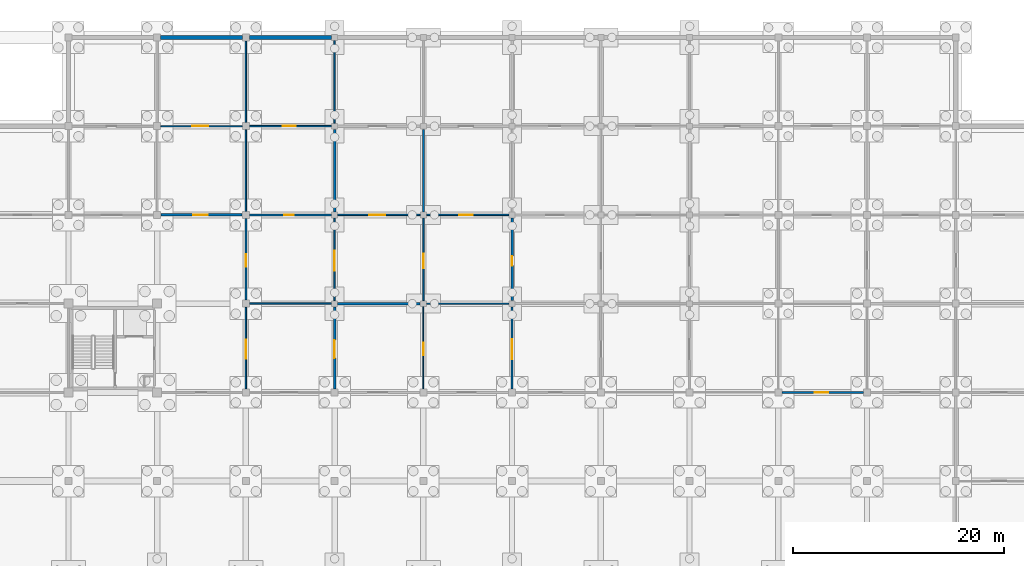
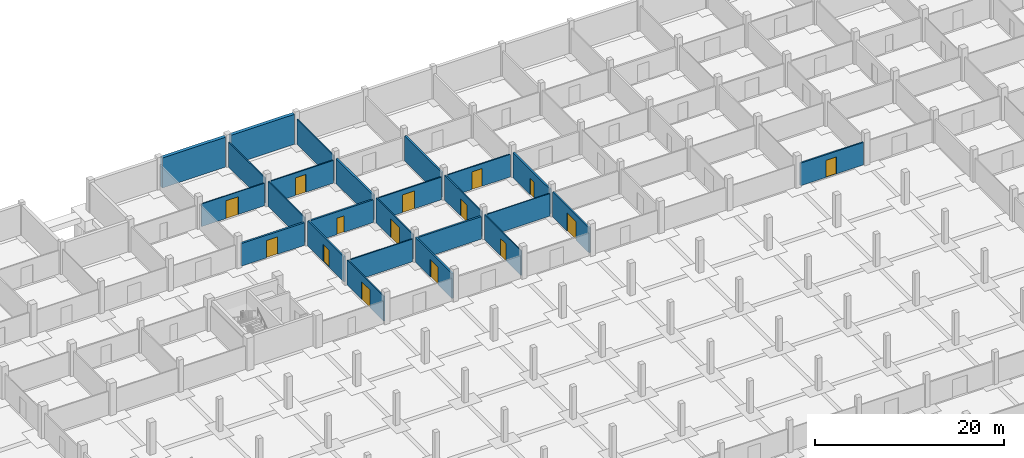
# One storey, part 29 of 43: 25 walls, 15 doors, 15 openings.
"""IFC4 building model written with IfcOpenShell, lengths in metres."""

from ifc_helpers import new_model, si_unit, direction, frame, frame_2d, origin, place, context, subcontext, project, spatial, rectangle, extrude, material, layer, layer_set, type_object, element, fill, save


model = new_model("IFC4")

# Units and contexts
model_context = context("Model", 3, precision=1e-05, world=origin(), true_north=direction((0.0, 1.0)))
body_context = subcontext(model_context, "Body", "Model", "MODEL_VIEW")
ifc_project = project(units=[si_unit("LENGTHUNIT", "METRE"), si_unit("AREAUNIT", "SQUARE_METRE"), si_unit("VOLUMEUNIT", "CUBIC_METRE"), si_unit("PLANEANGLEUNIT", "RADIAN"), si_unit("MASSUNIT", "GRAM", prefix="KILO")], contexts=[model_context])

# Site, building, storey
site_placement = place(None, origin())
site = spatial("IfcSite", under=ifc_project, at=site_placement, CompositionType="ELEMENT")
building_placement = place(site_placement, origin())
building = spatial("IfcBuilding", under=site, at=building_placement, Name="Varnapada Polytechnic", CompositionType="ELEMENT")
storey_placement = place(building_placement, frame((0.0, 0.0, -4.199951171875)))
storey = spatial("IfcBuildingStorey", under=building, at=storey_placement, Name="B1", CompositionType="ELEMENT", Elevation=-4.199951171875)

# Wall
ifc_material_1 = material(Name="Autoclaved Aerated Concrete Block AAC-600", Category="concrete")
ifc_layer_1 = layer(ifc_material_1, 0.14990234375)
ifc_layer_set_1 = layer_set([ifc_layer_1], Name="Autoclaved Aerated Concrete Block AAC-600")
wall_type_1 = type_object("IfcWallType", Name="Interior Wall IW-02", PredefinedType="PARTITIONING", material=ifc_layer_set_1)
wall_1_placement = place(storey_placement, frame((67.199951171875, 109.544921875, 0.0), z_axis=(0.0, 0.0, 1.0), x_axis=(0.0, 1.0, 0.0)))
element("IfcWall", 1, at=wall_1_placement, inside=storey, type_object=wall_type_1, Name="B1 interior partition IW-B1-07-13-V", PredefinedType="PARTITIONING", context=body_context, shape_type="SweptSolid", body=[
    extrude(rectangle(XDim=7.7099609375, YDim=0.14990234375, at=frame_2d((3.85498046875, 0.0))), origin(), (0.0, 0.0, 1.0), 3.22998046875),
])

# Wall, opening, door
wall_2_placement = place(storey_placement, frame((67.544921875, 117.60009765625, 0.0), z_axis=(0.0, 0.0, 1.0), x_axis=(1.0, 0.0, 0.0)))
wall_2 = element("IfcWall", 2, at=wall_2_placement, inside=storey, type_object=wall_type_1, Name="B1 interior partition IW-B1-08-13-H", PredefinedType="PARTITIONING", context=body_context, shape_type="SweptSolid", body=[
    extrude(rectangle(XDim=7.760009765625, YDim=0.14990234375, at=frame_2d((3.8798828125, 0.0))), origin(), (0.0, 0.0, 1.0), 2.929931640625),
])
opening_1_placement = place(wall_2_placement, frame((3.125, 0.0, 0.0)))
opening_1 = element("IfcOpeningElement", 3, at=opening_1_placement, cuts=wall_2, Name="Opening D-694", PredefinedType="OPENING", context=body_context, shape_type="SweptSolid", body=[
    extrude(rectangle(XDim=1.25, YDim=2.300048828125, at=frame_2d((0.625, 1.14990234375))), frame((0.0, 0.0849609375, 0.0), z_axis=(0.0, -1.0, 0.0), x_axis=(1.0, 0.0, 0.0)), (0.0, 0.0, 1.0), 0.169921875),
])
ifc_material_2 = material(Name="Solid Teak Hardwood Timber", Category="wood")
door_type_1 = type_object("IfcDoorType", Name="Interior Door ID-16", OperationType="NOTDEFINED", PredefinedType="DOOR", material=ifc_material_2)
door_1_placement = place(opening_1_placement, origin())
door_1 = element("IfcDoor", 4, at=door_1_placement, inside=storey, type_object=door_type_1, Name="B1 interior room door D-694", OperationType="SINGLE_SWING_LEFT", OverallHeight=2.300048828125, OverallWidth=1.25, PredefinedType="DOOR", context=body_context, shape_type="SweptSolid", body=[
    extrude(rectangle(XDim=1.25, YDim=2.300048828125, at=frame_2d((0.625, 1.14990234375))), frame((0.0, 0.02490234375, 0.0), z_axis=(0.0, -1.0, 0.0), x_axis=(1.0, 0.0, 0.0)), (0.0, 0.0, 1.0), 0.050048828125),
])
fill(opening_1, door_1)

ifc_material_3 = material(Name="Gypsum Plasterboard Acoustic Partition")
ifc_layer_2 = layer(ifc_material_3, 0.125)
ifc_layer_set_2 = layer_set([ifc_layer_2], Name="Gypsum Plasterboard Acoustic Partition")
wall_type_2 = type_object("IfcWallType", Name="Interior Wall IW-03", PredefinedType="PARTITIONING", material=ifc_layer_set_2)
wall_3_placement = place(storey_placement, frame((59.14501953125, 117.60009765625, 0.0), z_axis=(0.0, 0.0, 1.0), x_axis=(1.0, 0.0, 0.0)))
wall_3 = element("IfcWall", 5, at=wall_3_placement, inside=storey, type_object=wall_type_2, Name="B1 interior partition IW-B1-07-13-H", PredefinedType="PARTITIONING", context=body_context, shape_type="SweptSolid", body=[
    extrude(rectangle(XDim=7.7099609375, YDim=0.125, at=frame_2d((3.85498046875, 0.0))), origin(), (0.0, 0.0, 1.0), 2.929931640625),
])
opening_2_placement = place(wall_3_placement, frame((3.0, 0.0, 0.0)))
opening_2 = element("IfcOpeningElement", 6, at=opening_2_placement, cuts=wall_3, Name="Opening D-685", PredefinedType="OPENING", context=body_context, shape_type="SweptSolid", body=[
    extrude(rectangle(XDim=1.5, YDim=2.300048828125, at=frame_2d((0.75, 1.14990234375))), frame((0.0, 0.072509765625, 0.0), z_axis=(0.0, -1.0, 0.0), x_axis=(1.0, 0.0, 0.0)), (0.0, 0.0, 1.0), 0.14501953125),
])
ifc_material_4 = material(Name="Galvanized Steel Z275", Category="steel")
door_type_2 = type_object("IfcDoorType", Name="Interior Door ID-07", OperationType="NOTDEFINED", PredefinedType="DOOR", material=ifc_material_4)
door_2_placement = place(opening_2_placement, origin())
door_2 = element("IfcDoor", 7, at=door_2_placement, inside=storey, type_object=door_type_2, Name="B1 interior room door D-685", OperationType="SINGLE_SWING_RIGHT", OverallHeight=2.300048828125, OverallWidth=1.5, PredefinedType="DOOR", context=body_context, shape_type="SweptSolid", body=[
    extrude(rectangle(XDim=1.5, YDim=2.300048828125, at=frame_2d((0.75, 1.14990234375))), frame((0.0, 0.02490234375, 0.0), z_axis=(0.0, -1.0, 0.0), x_axis=(1.0, 0.0, 0.0)), (0.0, 0.0, 1.0), 0.050048828125),
])
fill(opening_2, door_2)

# Walls
wall_4_placement = place(storey_placement, frame((75.60009765625, 117.89501953125, 0.0), z_axis=(0.0, 0.0, 1.0), x_axis=(0.0, 1.0, 0.0)))
element("IfcWall", 8, at=wall_4_placement, inside=storey, type_object=wall_type_2, Name="B1 interior partition IW-B1-08-14-V", PredefinedType="PARTITIONING", context=body_context, shape_type="SweptSolid", body=[
    extrude(rectangle(XDim=7.81005859375, YDim=0.125, at=frame_2d((3.905029296875, 0.0))), origin(), (0.0, 0.0, 1.0), 3.22998046875),
])
ifc_material_5 = material(Name="Moisture-Resistant Cement Board Partition")
ifc_layer_3 = layer(ifc_material_5, 0.139892578125)
ifc_layer_set_3 = layer_set([ifc_layer_3], Name="Moisture-Resistant Cement Board Partition")
wall_type_3 = type_object("IfcWallType", Name="Interior Wall IW-04", PredefinedType="PARTITIONING", material=ifc_layer_set_3)
wall_5_placement = place(storey_placement, frame((67.199951171875, 117.945068359375, 0.0), z_axis=(0.0, 0.0, 1.0), x_axis=(0.0, 1.0, 0.0)))
element("IfcWall", 9, at=wall_5_placement, inside=storey, type_object=wall_type_3, Name="B1 interior partition IW-B1-07-14-V", PredefinedType="PARTITIONING", context=body_context, shape_type="SweptSolid", body=[
    extrude(rectangle(XDim=7.7099609375, YDim=0.139892578125, at=frame_2d((3.85498046875, 0.0))), origin(), (0.0, 0.0, 1.0), 3.22998046875),
])

# Wall, opening, door
ifc_material_6 = material(Name="Acoustic Double-Stud Studio Partition")
ifc_layer_4 = layer(ifc_material_6, 0.179931640625)
ifc_layer_set_4 = layer_set([ifc_layer_4], Name="Acoustic Double-Stud Studio Partition")
wall_type_4 = type_object("IfcWallType", Name="Interior Wall IW-06", PredefinedType="PARTITIONING", material=ifc_layer_set_4)
wall_6_placement = place(storey_placement, frame((117.945068359375, 92.39990234375, 0.0), z_axis=(0.0, 0.0, 1.0), x_axis=(1.0, 0.0, 0.0)))
wall_6 = element("IfcWall", 10, at=wall_6_placement, inside=storey, type_object=wall_type_4, Name="B1 interior partition IW-B1-14-10-H", PredefinedType="PARTITIONING", context=body_context, shape_type="SweptSolid", body=[
    extrude(rectangle(XDim=7.7099609375, YDim=0.179931640625, at=frame_2d((3.85498046875, 0.0))), origin(), (0.0, 0.0, 1.0), 2.929931640625),
])
opening_3_placement = place(wall_6_placement, frame((3.10009765625, 0.0, 0.0)))
opening_3 = element("IfcOpeningElement", 11, at=opening_3_placement, cuts=wall_6, Name="Opening D-740", PredefinedType="OPENING", context=body_context, shape_type="SweptSolid", body=[
    extrude(rectangle(XDim=1.300048828125, YDim=2.199951171875, at=frame_2d((0.64990234375, 1.10009765625))), frame((0.0, 0.099853515625, 0.0), z_axis=(0.0, -1.0, 0.0), x_axis=(1.0, 0.0, 0.0)), (0.0, 0.0, 1.0), 0.199951171875),
])
ifc_material_7 = material(Name="Acoustic Laminated Timber Leaf", Category="wood")
door_type_3 = type_object("IfcDoorType", Name="Interior Door ID-11", OperationType="NOTDEFINED", PredefinedType="DOOR", material=ifc_material_7)
door_3_placement = place(opening_3_placement, frame((1.300048828125, 0.0, 0.0), z_axis=(0.0, 0.0, 1.0), x_axis=(-1.0, 0.0, 0.0)))
door_3 = element("IfcDoor", 12, at=door_3_placement, inside=storey, type_object=door_type_3, Name="B1 interior room door D-740", OperationType="SINGLE_SWING_LEFT", OverallHeight=2.199951171875, OverallWidth=1.300048828125, PredefinedType="DOOR", context=body_context, shape_type="SweptSolid", body=[
    extrude(rectangle(XDim=1.300048828125, YDim=2.199951171875, at=frame_2d((0.64990234375, 1.10009765625))), frame((0.0, 0.02490234375, 0.0), z_axis=(0.0, -1.0, 0.0), x_axis=(1.0, 0.0, 0.0)), (0.0, 0.0, 1.0), 0.050048828125),
])
fill(opening_3, door_3)

ifc_material_8 = material(Name="Insulated Masonry Plant Room Wall", Category="masonry")
ifc_layer_5 = layer(ifc_material_8, 0.18994140625)
ifc_layer_set_5 = layer_set([ifc_layer_5], Name="Insulated Masonry Plant Room Wall")
wall_type_5 = type_object("IfcWallType", Name="Interior Wall IW-11", PredefinedType="PARTITIONING", material=ifc_layer_set_5)
wall_7_placement = place(storey_placement, frame((92.39990234375, 92.7451171875, 0.0), z_axis=(0.0, 0.0, 1.0), x_axis=(0.0, 1.0, 0.0)))
wall_7 = element("IfcWall", 13, at=wall_7_placement, inside=storey, type_object=wall_type_5, Name="B1 interior partition IW-B1-10-11-V", PredefinedType="PARTITIONING", context=body_context, shape_type="SweptSolid", body=[
    extrude(rectangle(XDim=7.759765625, YDim=0.18994140625, at=frame_2d((3.8798828125, 0.0))), origin(), (0.0, 0.0, 1.0), 3.22998046875),
])
opening_4_placement = place(wall_7_placement, frame((2.800048828125, 0.0, 0.0)))
opening_4 = element("IfcOpeningElement", 14, at=opening_4_placement, cuts=wall_7, Name="Opening D-709", PredefinedType="OPENING", context=body_context, shape_type="SweptSolid", body=[
    extrude(rectangle(XDim=1.89990234375, YDim=2.39990234375, at=frame_2d((0.949951171875, 1.199951171875))), frame((0.0, 0.10498046875, 0.0), z_axis=(0.0, -1.0, 0.0), x_axis=(1.0, 0.0, 0.0)), (0.0, 0.0, 1.0), 0.2099609375),
])
ifc_material_9 = material(Name="Heavy Workshop Double Steel Door", Category="steel")
door_type_4 = type_object("IfcDoorType", Name="Interior Door ID-14", OperationType="NOTDEFINED", PredefinedType="DOOR", material=ifc_material_9)
door_4_placement = place(opening_4_placement, origin())
door_4 = element("IfcDoor", 15, at=door_4_placement, inside=storey, type_object=door_type_4, Name="B1 interior room door D-709", OperationType="SINGLE_SWING_RIGHT", OverallHeight=2.39990234375, OverallWidth=1.89990234375, PredefinedType="DOOR", context=body_context, shape_type="SweptSolid", body=[
    extrude(rectangle(XDim=1.89990234375, YDim=2.39990234375, at=frame_2d((0.949951171875, 1.199951171875))), frame((0.0, 0.02490234375, 0.0), z_axis=(0.0, -1.0, 0.0), x_axis=(1.0, 0.0, 0.0)), (0.0, 0.0, 1.0), 0.050048828125),
])
fill(opening_4, door_4)

ifc_material_10 = material(Name="Timber-Stud Studio Critique Partition", Category="wood")
ifc_layer_6 = layer(ifc_material_10, 0.114990234375)
ifc_layer_set_6 = layer_set([ifc_layer_6], Name="Timber-Stud Studio Critique Partition")
wall_type_6 = type_object("IfcWallType", Name="Interior Wall IW-12", PredefinedType="PARTITIONING", material=ifc_layer_set_6)
wall_8_placement = place(storey_placement, frame((84.0, 92.7451171875, 0.0), z_axis=(0.0, 0.0, 1.0), x_axis=(0.0, 1.0, 0.0)))
wall_8 = element("IfcWall", 16, at=wall_8_placement, inside=storey, type_object=wall_type_6, Name="B1 interior partition IW-B1-09-11-V", PredefinedType="PARTITIONING", context=body_context, shape_type="SweptSolid", body=[
    extrude(rectangle(XDim=7.759765625, YDim=0.114990234375, at=frame_2d((3.8798828125, 0.0))), origin(), (0.0, 0.0, 1.0), 3.22998046875),
])
opening_5_placement = place(wall_8_placement, frame((3.14990234375, 0.0, 0.0)))
opening_5 = element("IfcOpeningElement", 17, at=opening_5_placement, cuts=wall_8, Name="Opening D-700", PredefinedType="OPENING", context=body_context, shape_type="SweptSolid", body=[
    extrude(rectangle(XDim=1.199951171875, YDim=2.199951171875, at=frame_2d((0.60009765625, 1.10009765625))), frame((0.0, 0.0673828125, 0.0), z_axis=(0.0, -1.0, 0.0), x_axis=(1.0, 0.0, 0.0)), (0.0, 0.0, 1.0), 0.135009765625),
])
door_type_5 = type_object("IfcDoorType", Name="Interior Door ID-05", OperationType="NOTDEFINED", PredefinedType="DOOR", material=ifc_material_2)
door_5_placement = place(opening_5_placement, origin())
door_5 = element("IfcDoor", 18, at=door_5_placement, inside=storey, type_object=door_type_5, Name="B1 interior room door D-700", OperationType="SINGLE_SWING_LEFT", OverallHeight=2.199951171875, OverallWidth=1.199951171875, PredefinedType="DOOR", context=body_context, shape_type="SweptSolid", body=[
    extrude(rectangle(XDim=1.199951171875, YDim=2.199951171875, at=frame_2d((0.60009765625, 1.10009765625))), frame((0.0, 0.02490234375, 0.0), z_axis=(0.0, -1.0, 0.0), x_axis=(1.0, 0.0, 0.0)), (0.0, 0.0, 1.0), 0.050048828125),
])
fill(opening_5, door_5)

# Wall
wall_9_placement = place(storey_placement, frame((84.294921875, 100.800048828125, 0.0), z_axis=(0.0, 0.0, 1.0), x_axis=(1.0, 0.0, 0.0)))
element("IfcWall", 19, at=wall_9_placement, inside=storey, type_object=wall_type_6, Name="B1 interior partition IW-B1-10-11-H", PredefinedType="PARTITIONING", context=body_context, shape_type="SweptSolid", body=[
    extrude(rectangle(XDim=7.81005859375, YDim=0.114990234375, at=frame_2d((3.905029296875, 0.0))), origin(), (0.0, 0.0, 1.0), 2.929931640625),
])

# Wall, opening, door
ifc_material_11 = material(Name="Heavy Acoustic Auditorium Baffle Wall")
ifc_layer_7 = layer(ifc_material_11, 0.219970703125)
ifc_layer_set_7 = layer_set([ifc_layer_7], Name="Heavy Acoustic Auditorium Baffle Wall")
wall_type_7 = type_object("IfcWallType", Name="Interior Wall IW-13", PredefinedType="PARTITIONING", material=ifc_layer_set_7)
wall_10_placement = place(storey_placement, frame((75.60009765625, 92.7451171875, 0.0), z_axis=(0.0, 0.0, 1.0), x_axis=(0.0, 1.0, 0.0)))
wall_10 = element("IfcWall", 20, at=wall_10_placement, inside=storey, type_object=wall_type_7, Name="B1 interior partition IW-B1-08-11-V", PredefinedType="PARTITIONING", context=body_context, shape_type="SweptSolid", body=[
    extrude(rectangle(XDim=7.759765625, YDim=0.219970703125, at=frame_2d((3.8798828125, 0.0))), origin(), (0.0, 0.0, 1.0), 3.22998046875),
])
opening_6_placement = place(wall_10_placement, frame((2.89990234375, 0.0, 0.0)))
opening_6 = element("IfcOpeningElement", 21, at=opening_6_placement, cuts=wall_10, Name="Opening D-691", PredefinedType="OPENING", context=body_context, shape_type="SweptSolid", body=[
    extrude(rectangle(XDim=1.699951171875, YDim=2.300048828125, at=frame_2d((0.85009765625, 1.14990234375))), frame((0.0, 0.119873046875, 0.0), z_axis=(0.0, -1.0, 0.0), x_axis=(1.0, 0.0, 0.0)), (0.0, 0.0, 1.0), 0.239990234375),
])
ifc_material_12 = material(Name="Acoustic Double Timber Leaf", Category="wood")
door_type_6 = type_object("IfcDoorType", Name="Interior Door ID-13", OperationType="NOTDEFINED", PredefinedType="DOOR", material=ifc_material_12)
door_6_placement = place(opening_6_placement, origin())
door_6 = element("IfcDoor", 22, at=door_6_placement, inside=storey, type_object=door_type_6, Name="B1 interior room door D-691", OperationType="SINGLE_SWING_RIGHT", OverallHeight=2.300048828125, OverallWidth=1.699951171875, PredefinedType="DOOR", context=body_context, shape_type="SweptSolid", body=[
    extrude(rectangle(XDim=1.699951171875, YDim=2.300048828125, at=frame_2d((0.85009765625, 1.14990234375))), frame((0.0, 0.02490234375, 0.0), z_axis=(0.0, -1.0, 0.0), x_axis=(1.0, 0.0, 0.0)), (0.0, 0.0, 1.0), 0.050048828125),
])
fill(opening_6, door_6)

# Wall
wall_11_placement = place(storey_placement, frame((75.89501953125, 100.800048828125, 0.0), z_axis=(0.0, 0.0, 1.0), x_axis=(1.0, 0.0, 0.0)))
element("IfcWall", 23, at=wall_11_placement, inside=storey, type_object=wall_type_7, Name="B1 interior partition IW-B1-09-11-H", PredefinedType="PARTITIONING", context=body_context, shape_type="SweptSolid", body=[
    extrude(rectangle(XDim=7.81005859375, YDim=0.219970703125, at=frame_2d((3.905029296875, 0.0))), origin(), (0.0, 0.0, 1.0), 2.929931640625),
])

# Wall, opening, door
wall_12_placement = place(storey_placement, frame((92.39990234375, 101.094970703125, 0.0), z_axis=(0.0, 0.0, 1.0), x_axis=(0.0, 1.0, 0.0)))
wall_12 = element("IfcWall", 24, at=wall_12_placement, inside=storey, type_object=wall_type_7, Name="B1 interior partition IW-B1-10-12-V", PredefinedType="PARTITIONING", context=body_context, shape_type="SweptSolid", body=[
    extrude(rectangle(XDim=7.81005859375, YDim=0.219970703125, at=frame_2d((3.905029296875, 0.0))), origin(), (0.0, 0.0, 1.0), 3.22998046875),
])
opening_7_placement = place(wall_12_placement, frame((3.300048828125, 0.0, 0.0)))
opening_7 = element("IfcOpeningElement", 25, at=opening_7_placement, cuts=wall_12, Name="Opening D-710", PredefinedType="OPENING", context=body_context, shape_type="SweptSolid", body=[
    extrude(rectangle(XDim=0.89990234375, YDim=2.10009765625, at=frame_2d((0.449951171875, 1.050048828125))), frame((0.0, 0.119873046875, 0.0), z_axis=(0.0, -1.0, 0.0), x_axis=(1.0, 0.0, 0.0)), (0.0, 0.0, 1.0), 0.239990234375),
])
ifc_material_13 = material(Name="Moisture-Resistant HPL Timber", Category="wood")
door_type_7 = type_object("IfcDoorType", Name="Interior Door ID-15", OperationType="NOTDEFINED", PredefinedType="DOOR", material=ifc_material_13)
door_7_placement = place(opening_7_placement, frame((0.89990234375, 0.0, 0.0), z_axis=(0.0, 0.0, 1.0), x_axis=(-1.0, 0.0, 0.0)))
door_7 = element("IfcDoor", 26, at=door_7_placement, inside=storey, type_object=door_type_7, Name="B1 interior room door D-710", OperationType="SINGLE_SWING_LEFT", OverallHeight=2.10009765625, OverallWidth=0.89990234375, PredefinedType="DOOR", context=body_context, shape_type="SweptSolid", body=[
    extrude(rectangle(XDim=0.89990234375, YDim=2.10009765625, at=frame_2d((0.449951171875, 1.050048828125))), frame((0.0, 0.02490234375, 0.0), z_axis=(0.0, -1.0, 0.0), x_axis=(1.0, 0.0, 0.0)), (0.0, 0.0, 1.0), 0.050048828125),
])
fill(opening_7, door_7)

# Wall
ifc_material_14 = material(Name="Ceramic-Tiled Wet Laboratory Wall")
ifc_layer_8 = layer(ifc_material_14, 0.14501953125)
ifc_layer_set_8 = layer_set([ifc_layer_8], Name="Ceramic-Tiled Wet Laboratory Wall")
wall_type_8 = type_object("IfcWallType", Name="Interior Wall IW-14", PredefinedType="PARTITIONING", material=ifc_layer_set_8)
wall_13_placement = place(storey_placement, frame((67.544921875, 100.800048828125, 0.0), z_axis=(0.0, 0.0, 1.0), x_axis=(1.0, 0.0, 0.0)))
element("IfcWall", 27, at=wall_13_placement, inside=storey, type_object=wall_type_8, Name="B1 interior partition IW-B1-08-11-H", PredefinedType="PARTITIONING", context=body_context, shape_type="SweptSolid", body=[
    extrude(rectangle(XDim=7.760009765625, YDim=0.14501953125, at=frame_2d((3.8798828125, 0.0))), origin(), (0.0, 0.0, 1.0), 2.929931640625),
])

# Wall, opening, door
wall_14_placement = place(storey_placement, frame((84.0, 101.094970703125, 0.0), z_axis=(0.0, 0.0, 1.0), x_axis=(0.0, 1.0, 0.0)))
wall_14 = element("IfcWall", 28, at=wall_14_placement, inside=storey, type_object=wall_type_8, Name="B1 interior partition IW-B1-09-12-V", PredefinedType="PARTITIONING", context=body_context, shape_type="SweptSolid", body=[
    extrude(rectangle(XDim=7.81005859375, YDim=0.14501953125, at=frame_2d((3.905029296875, 0.0))), origin(), (0.0, 0.0, 1.0), 3.22998046875),
])
opening_8_placement = place(wall_14_placement, frame((3.050048828125, 0.0, 0.0)))
opening_8 = element("IfcOpeningElement", 29, at=opening_8_placement, cuts=wall_14, Name="Opening D-701", PredefinedType="OPENING", context=body_context, shape_type="SweptSolid", body=[
    extrude(rectangle(XDim=1.39990234375, YDim=2.25, at=frame_2d((0.699951171875, 1.125))), frame((0.0, 0.08251953125, 0.0), z_axis=(0.0, -1.0, 0.0), x_axis=(1.0, 0.0, 0.0)), (0.0, 0.0, 1.0), 0.1650390625),
])
ifc_material_15 = material(Name="Powder-Coated Aluminium 6063-T6", Category="aluminium")
door_type_8 = type_object("IfcDoorType", Name="Interior Door ID-06", OperationType="NOTDEFINED", PredefinedType="DOOR", material=ifc_material_15)
door_8_placement = place(opening_8_placement, frame((1.39990234375, 0.0, 0.0), z_axis=(0.0, 0.0, 1.0), x_axis=(-1.0, 0.0, 0.0)))
door_8 = element("IfcDoor", 30, at=door_8_placement, inside=storey, type_object=door_type_8, Name="B1 interior room door D-701", OperationType="SINGLE_SWING_RIGHT", OverallHeight=2.25, OverallWidth=1.39990234375, PredefinedType="DOOR", context=body_context, shape_type="SweptSolid", body=[
    extrude(rectangle(XDim=1.39990234375, YDim=2.25, at=frame_2d((0.699951171875, 1.125))), frame((0.0, 0.02490234375, 0.0), z_axis=(0.0, -1.0, 0.0), x_axis=(1.0, 0.0, 0.0)), (0.0, 0.0, 1.0), 0.050048828125),
])
fill(opening_8, door_8)

wall_15_placement = place(storey_placement, frame((84.294921875, 109.199951171875, 0.0), z_axis=(0.0, 0.0, 1.0), x_axis=(1.0, 0.0, 0.0)))
wall_15 = element("IfcWall", 31, at=wall_15_placement, inside=storey, type_object=wall_type_8, Name="B1 interior partition IW-B1-10-12-H", PredefinedType="PARTITIONING", context=body_context, shape_type="SweptSolid", body=[
    extrude(rectangle(XDim=7.81005859375, YDim=0.14501953125, at=frame_2d((3.905029296875, 0.0))), origin(), (0.0, 0.0, 1.0), 2.929931640625),
])
opening_9_placement = place(wall_15_placement, frame((3.125, 0.0, 0.0)))
opening_9 = element("IfcOpeningElement", 32, at=opening_9_placement, cuts=wall_15, Name="Opening D-711", PredefinedType="OPENING", context=body_context, shape_type="SweptSolid", body=[
    extrude(rectangle(XDim=1.25, YDim=2.300048828125, at=frame_2d((0.625, 1.14990234375))), frame((0.0, 0.08251953125, 0.0), z_axis=(0.0, -1.0, 0.0), x_axis=(1.0, 0.0, 0.0)), (0.0, 0.0, 1.0), 0.1650390625),
])
door_9_placement = place(opening_9_placement, origin())
door_9 = element("IfcDoor", 33, at=door_9_placement, inside=storey, type_object=door_type_1, Name="B1 interior room door D-711", OperationType="SINGLE_SWING_RIGHT", OverallHeight=2.300048828125, OverallWidth=1.25, PredefinedType="DOOR", context=body_context, shape_type="SweptSolid", body=[
    extrude(rectangle(XDim=1.25, YDim=2.300048828125, at=frame_2d((0.625, 1.14990234375))), frame((0.0, 0.02490234375, 0.0), z_axis=(0.0, -1.0, 0.0), x_axis=(1.0, 0.0, 0.0)), (0.0, 0.0, 1.0), 0.050048828125),
])
fill(opening_9, door_9)

ifc_material_16 = material(Name="Perforated Timber-Lined Seminar Wall", Category="wood")
ifc_layer_9 = layer(ifc_material_16, 0.155029296875)
ifc_layer_set_9 = layer_set([ifc_layer_9], Name="Perforated Timber-Lined Seminar Wall")
wall_type_9 = type_object("IfcWallType", Name="Interior Wall IW-15", PredefinedType="PARTITIONING", material=ifc_layer_set_9)
wall_16_placement = place(storey_placement, frame((67.199951171875, 92.7451171875, 0.0), z_axis=(0.0, 0.0, 1.0), x_axis=(0.0, 1.0, 0.0)))
wall_16 = element("IfcWall", 34, at=wall_16_placement, inside=storey, type_object=wall_type_9, Name="B1 interior partition IW-B1-07-11-V", PredefinedType="PARTITIONING", context=body_context, shape_type="SweptSolid", body=[
    extrude(rectangle(XDim=7.7099609375, YDim=0.155029296875, at=frame_2d((3.85498046875, 0.0))), origin(), (0.0, 0.0, 1.0), 3.22998046875),
])
opening_10_placement = place(wall_16_placement, frame((2.85009765625, 0.0, 0.0)))
opening_10 = element("IfcOpeningElement", 35, at=opening_10_placement, cuts=wall_16, Name="Opening D-682", PredefinedType="OPENING", context=body_context, shape_type="SweptSolid", body=[
    extrude(rectangle(XDim=1.800048828125, YDim=2.300048828125, at=frame_2d((0.89990234375, 1.14990234375))), frame((0.0, 0.08740234375, 0.0), z_axis=(0.0, -1.0, 0.0), x_axis=(1.0, 0.0, 0.0)), (0.0, 0.0, 1.0), 0.175048828125),
])
door_type_9 = type_object("IfcDoorType", Name="Interior Door ID-04", OperationType="NOTDEFINED", PredefinedType="DOOR", material=ifc_material_12)
door_10_placement = place(opening_10_placement, origin())
door_10 = element("IfcDoor", 36, at=door_10_placement, inside=storey, type_object=door_type_9, Name="B1 interior room door D-682", OperationType="SINGLE_SWING_LEFT", OverallHeight=2.300048828125, OverallWidth=1.800048828125, PredefinedType="DOOR", context=body_context, shape_type="SweptSolid", body=[
    extrude(rectangle(XDim=1.800048828125, YDim=2.300048828125, at=frame_2d((0.89990234375, 1.14990234375))), frame((0.0, 0.02490234375, 0.0), z_axis=(0.0, -1.0, 0.0), x_axis=(1.0, 0.0, 0.0)), (0.0, 0.0, 1.0), 0.050048828125),
])
fill(opening_10, door_10)

wall_17_placement = place(storey_placement, frame((75.60009765625, 101.094970703125, 0.0), z_axis=(0.0, 0.0, 1.0), x_axis=(0.0, 1.0, 0.0)))
wall_17 = element("IfcWall", 37, at=wall_17_placement, inside=storey, type_object=wall_type_9, Name="B1 interior partition IW-B1-08-12-V", PredefinedType="PARTITIONING", context=body_context, shape_type="SweptSolid", body=[
    extrude(rectangle(XDim=7.81005859375, YDim=0.155029296875, at=frame_2d((3.905029296875, 0.0))), origin(), (0.0, 0.0, 1.0), 3.22998046875),
])
opening_11_placement = place(wall_17_placement, frame((2.800048828125, 0.0, 0.0)))
opening_11 = element("IfcOpeningElement", 38, at=opening_11_placement, cuts=wall_17, Name="Opening D-692", PredefinedType="OPENING", context=body_context, shape_type="SweptSolid", body=[
    extrude(rectangle(XDim=1.89990234375, YDim=2.39990234375, at=frame_2d((0.949951171875, 1.199951171875))), frame((0.0, 0.08740234375, 0.0), z_axis=(0.0, -1.0, 0.0), x_axis=(1.0, 0.0, 0.0)), (0.0, 0.0, 1.0), 0.175048828125),
])
door_11_placement = place(opening_11_placement, frame((1.89990234375, 0.0, 0.0), z_axis=(0.0, 0.0, 1.0), x_axis=(-1.0, 0.0, 0.0)))
door_11 = element("IfcDoor", 39, at=door_11_placement, inside=storey, type_object=door_type_4, Name="B1 interior room door D-692", OperationType="SINGLE_SWING_LEFT", OverallHeight=2.39990234375, OverallWidth=1.89990234375, PredefinedType="DOOR", context=body_context, shape_type="SweptSolid", body=[
    extrude(rectangle(XDim=1.89990234375, YDim=2.39990234375, at=frame_2d((0.949951171875, 1.199951171875))), frame((0.0, 0.02490234375, 0.0), z_axis=(0.0, -1.0, 0.0), x_axis=(1.0, 0.0, 0.0)), (0.0, 0.0, 1.0), 0.050048828125),
])
fill(opening_11, door_11)

wall_18_placement = place(storey_placement, frame((75.89501953125, 109.199951171875, 0.0), z_axis=(0.0, 0.0, 1.0), x_axis=(1.0, 0.0, 0.0)))
wall_18 = element("IfcWall", 40, at=wall_18_placement, inside=storey, type_object=wall_type_9, Name="B1 interior partition IW-B1-09-12-H", PredefinedType="PARTITIONING", context=body_context, shape_type="SweptSolid", body=[
    extrude(rectangle(XDim=7.81005859375, YDim=0.155029296875, at=frame_2d((3.905029296875, 0.0))), origin(), (0.0, 0.0, 1.0), 2.929931640625),
])
opening_12_placement = place(wall_18_placement, frame((3.0, 0.0, 0.0)))
opening_12 = element("IfcOpeningElement", 41, at=opening_12_placement, cuts=wall_18, Name="Opening D-702", PredefinedType="OPENING", context=body_context, shape_type="SweptSolid", body=[
    extrude(rectangle(XDim=1.5, YDim=2.300048828125, at=frame_2d((0.75, 1.14990234375))), frame((0.0, 0.08740234375, 0.0), z_axis=(0.0, -1.0, 0.0), x_axis=(1.0, 0.0, 0.0)), (0.0, 0.0, 1.0), 0.175048828125),
])
door_12_placement = place(opening_12_placement, origin())
door_12 = element("IfcDoor", 42, at=door_12_placement, inside=storey, type_object=door_type_2, Name="B1 interior room door D-702", OperationType="SINGLE_SWING_LEFT", OverallHeight=2.300048828125, OverallWidth=1.5, PredefinedType="DOOR", context=body_context, shape_type="SweptSolid", body=[
    extrude(rectangle(XDim=1.5, YDim=2.300048828125, at=frame_2d((0.75, 1.14990234375))), frame((0.0, 0.02490234375, 0.0), z_axis=(0.0, -1.0, 0.0), x_axis=(1.0, 0.0, 0.0)), (0.0, 0.0, 1.0), 0.050048828125),
])
fill(opening_12, door_12)

ifc_material_17 = material(Name="Heavy Masonry Workshop Partition", Category="masonry")
ifc_layer_10 = layer(ifc_material_17, 0.2099609375)
ifc_layer_set_10 = layer_set([ifc_layer_10], Name="Heavy Masonry Workshop Partition")
wall_type_10 = type_object("IfcWallType", Name="Interior Wall IW-16", PredefinedType="PARTITIONING", material=ifc_layer_set_10)
wall_19_placement = place(storey_placement, frame((67.199951171875, 101.14501953125, 0.0), z_axis=(0.0, 0.0, 1.0), x_axis=(0.0, 1.0, 0.0)))
wall_19 = element("IfcWall", 43, at=wall_19_placement, inside=storey, type_object=wall_type_10, Name="B1 interior partition IW-B1-07-12-V", PredefinedType="PARTITIONING", context=body_context, shape_type="SweptSolid", body=[
    extrude(rectangle(XDim=7.7099609375, YDim=0.2099609375, at=frame_2d((3.85498046875, 0.0))), origin(), (0.0, 0.0, 1.0), 3.22998046875),
])
opening_13_placement = place(wall_19_placement, frame((3.14990234375, 0.0, 0.0)))
opening_13 = element("IfcOpeningElement", 44, at=opening_13_placement, cuts=wall_19, Name="Opening D-683", PredefinedType="OPENING", context=body_context, shape_type="SweptSolid", body=[
    extrude(rectangle(XDim=1.199951171875, YDim=2.199951171875, at=frame_2d((0.60009765625, 1.10009765625))), frame((0.0, 0.114990234375, 0.0), z_axis=(0.0, -1.0, 0.0), x_axis=(1.0, 0.0, 0.0)), (0.0, 0.0, 1.0), 0.22998046875),
])
door_13_placement = place(opening_13_placement, frame((1.199951171875, 0.0, 0.0), z_axis=(0.0, 0.0, 1.0), x_axis=(-1.0, 0.0, 0.0)))
door_13 = element("IfcDoor", 45, at=door_13_placement, inside=storey, type_object=door_type_5, Name="B1 interior room door D-683", OperationType="SINGLE_SWING_RIGHT", OverallHeight=2.199951171875, OverallWidth=1.199951171875, PredefinedType="DOOR", context=body_context, shape_type="SweptSolid", body=[
    extrude(rectangle(XDim=1.199951171875, YDim=2.199951171875, at=frame_2d((0.60009765625, 1.10009765625))), frame((0.0, 0.02490234375, 0.0), z_axis=(0.0, -1.0, 0.0), x_axis=(1.0, 0.0, 0.0)), (0.0, 0.0, 1.0), 0.050048828125),
])
fill(opening_13, door_13)

wall_20_placement = place(storey_placement, frame((67.544921875, 109.199951171875, 0.0), z_axis=(0.0, 0.0, 1.0), x_axis=(1.0, 0.0, 0.0)))
wall_20 = element("IfcWall", 46, at=wall_20_placement, inside=storey, type_object=wall_type_10, Name="B1 interior partition IW-B1-08-12-H", PredefinedType="PARTITIONING", context=body_context, shape_type="SweptSolid", body=[
    extrude(rectangle(XDim=7.760009765625, YDim=0.2099609375, at=frame_2d((3.8798828125, 0.0))), origin(), (0.0, 0.0, 1.0), 2.929931640625),
])
opening_14_placement = place(wall_20_placement, frame((3.300048828125, 0.0, 0.0)))
opening_14 = element("IfcOpeningElement", 47, at=opening_14_placement, cuts=wall_20, Name="Opening D-693", PredefinedType="OPENING", context=body_context, shape_type="SweptSolid", body=[
    extrude(rectangle(XDim=0.89990234375, YDim=2.10009765625, at=frame_2d((0.449951171875, 1.050048828125))), frame((0.0, 0.114990234375, 0.0), z_axis=(0.0, -1.0, 0.0), x_axis=(1.0, 0.0, 0.0)), (0.0, 0.0, 1.0), 0.22998046875),
])
door_14_placement = place(opening_14_placement, origin())
door_14 = element("IfcDoor", 48, at=door_14_placement, inside=storey, type_object=door_type_7, Name="B1 interior room door D-693", OperationType="SINGLE_SWING_RIGHT", OverallHeight=2.10009765625, OverallWidth=0.89990234375, PredefinedType="DOOR", context=body_context, shape_type="SweptSolid", body=[
    extrude(rectangle(XDim=0.89990234375, YDim=2.10009765625, at=frame_2d((0.449951171875, 1.050048828125))), frame((0.0, 0.02490234375, 0.0), z_axis=(0.0, -1.0, 0.0), x_axis=(1.0, 0.0, 0.0)), (0.0, 0.0, 1.0), 0.050048828125),
])
fill(opening_14, door_14)

# Wall
wall_21_placement = place(storey_placement, frame((84.0, 109.4951171875, 0.0), z_axis=(0.0, 0.0, 1.0), x_axis=(0.0, 1.0, 0.0)))
element("IfcWall", 49, at=wall_21_placement, inside=storey, type_object=wall_type_10, Name="B1 interior partition IW-B1-09-13-V", PredefinedType="PARTITIONING", context=body_context, shape_type="SweptSolid", body=[
    extrude(rectangle(XDim=7.809814453125, YDim=0.2099609375, at=frame_2d((3.90478515625, 0.0))), origin(), (0.0, 0.0, 1.0), 3.22998046875),
])

# Wall, opening, door
ifc_material_18 = material(Name="Double-Leaf Acoustic Lecture Wall")
ifc_layer_11 = layer(ifc_material_18, 0.235107421875)
ifc_layer_set_11 = layer_set([ifc_layer_11], Name="Double-Leaf Acoustic Lecture Wall")
wall_type_11 = type_object("IfcWallType", Name="Interior Wall IW-17", PredefinedType="PARTITIONING", material=ifc_layer_set_11)
wall_22_placement = place(storey_placement, frame((59.14501953125, 109.199951171875, 0.0), z_axis=(0.0, 0.0, 1.0), x_axis=(1.0, 0.0, 0.0)))
wall_22 = element("IfcWall", 50, at=wall_22_placement, inside=storey, type_object=wall_type_11, Name="B1 interior partition IW-B1-07-12-H", PredefinedType="PARTITIONING", context=body_context, shape_type="SweptSolid", body=[
    extrude(rectangle(XDim=7.7099609375, YDim=0.235107421875, at=frame_2d((3.85498046875, 0.0))), origin(), (0.0, 0.0, 1.0), 2.929931640625),
])
opening_15_placement = place(wall_22_placement, frame((3.050048828125, 0.0, 0.0)))
opening_15 = element("IfcOpeningElement", 51, at=opening_15_placement, cuts=wall_22, Name="Opening D-684", PredefinedType="OPENING", context=body_context, shape_type="SweptSolid", body=[
    extrude(rectangle(XDim=1.39990234375, YDim=2.25, at=frame_2d((0.699951171875, 1.125))), frame((0.0, 0.12744140625, 0.0), z_axis=(0.0, -1.0, 0.0), x_axis=(1.0, 0.0, 0.0)), (0.0, 0.0, 1.0), 0.255126953125),
])
door_15_placement = place(opening_15_placement, origin())
door_15 = element("IfcDoor", 52, at=door_15_placement, inside=storey, type_object=door_type_8, Name="B1 interior room door D-684", OperationType="SINGLE_SWING_LEFT", OverallHeight=2.25, OverallWidth=1.39990234375, PredefinedType="DOOR", context=body_context, shape_type="SweptSolid", body=[
    extrude(rectangle(XDim=1.39990234375, YDim=2.25, at=frame_2d((0.699951171875, 1.125))), frame((0.0, 0.02490234375, 0.0), z_axis=(0.0, -1.0, 0.0), x_axis=(1.0, 0.0, 0.0)), (0.0, 0.0, 1.0), 0.050048828125),
])
fill(opening_15, door_15)

# Walls
wall_23_placement = place(storey_placement, frame((75.60009765625, 109.4951171875, 0.0), z_axis=(0.0, 0.0, 1.0), x_axis=(0.0, 1.0, 0.0)))
element("IfcWall", 53, at=wall_23_placement, inside=storey, type_object=wall_type_11, Name="B1 interior partition IW-B1-08-13-V", PredefinedType="PARTITIONING", context=body_context, shape_type="SweptSolid", body=[
    extrude(rectangle(XDim=7.809814453125, YDim=0.235107421875, at=frame_2d((3.90478515625, 0.0))), origin(), (0.0, 0.0, 1.0), 3.22998046875),
])
ifc_material_19 = material(Name="Concrete C40/50", Category="concrete")
ifc_layer_12 = layer(ifc_material_19, 0.39990234375)
ifc_layer_set_12 = layer_set([ifc_layer_12], Name="Concrete C40/50")
wall_type_12 = type_object("IfcWallType", Name="Wall RW-01", PredefinedType="STANDARD", material=ifc_layer_set_12)
wall_24_placement = place(storey_placement, frame((59.125, 126.0, 0.0), z_axis=(0.0, 0.0, 1.0), x_axis=(1.0, 0.0, 0.0)))
element("IfcWall", 54, at=wall_24_placement, inside=storey, type_object=wall_type_12, Name="B1 perimeter retaining wall 35", PredefinedType="STANDARD", context=body_context, shape_type="SweptSolid", body=[
    extrude(rectangle(XDim=7.75, YDim=0.39990234375, at=frame_2d((3.875, 0.0))), origin(), (0.0, 0.0, 1.0), 3.8798828125),
])
wall_25_placement = place(storey_placement, frame((67.52490234375, 126.0, 0.0), z_axis=(0.0, 0.0, 1.0), x_axis=(1.0, 0.0, 0.0)))
element("IfcWall", 55, at=wall_25_placement, inside=storey, type_object=wall_type_12, Name="B1 perimeter retaining wall 37", PredefinedType="STANDARD", context=body_context, shape_type="SweptSolid", body=[
    extrude(rectangle(XDim=7.800048828125, YDim=0.39990234375, at=frame_2d((3.89990234375, 0.0))), origin(), (0.0, 0.0, 1.0), 3.8798828125),
])

save(model, "model.ifc")
